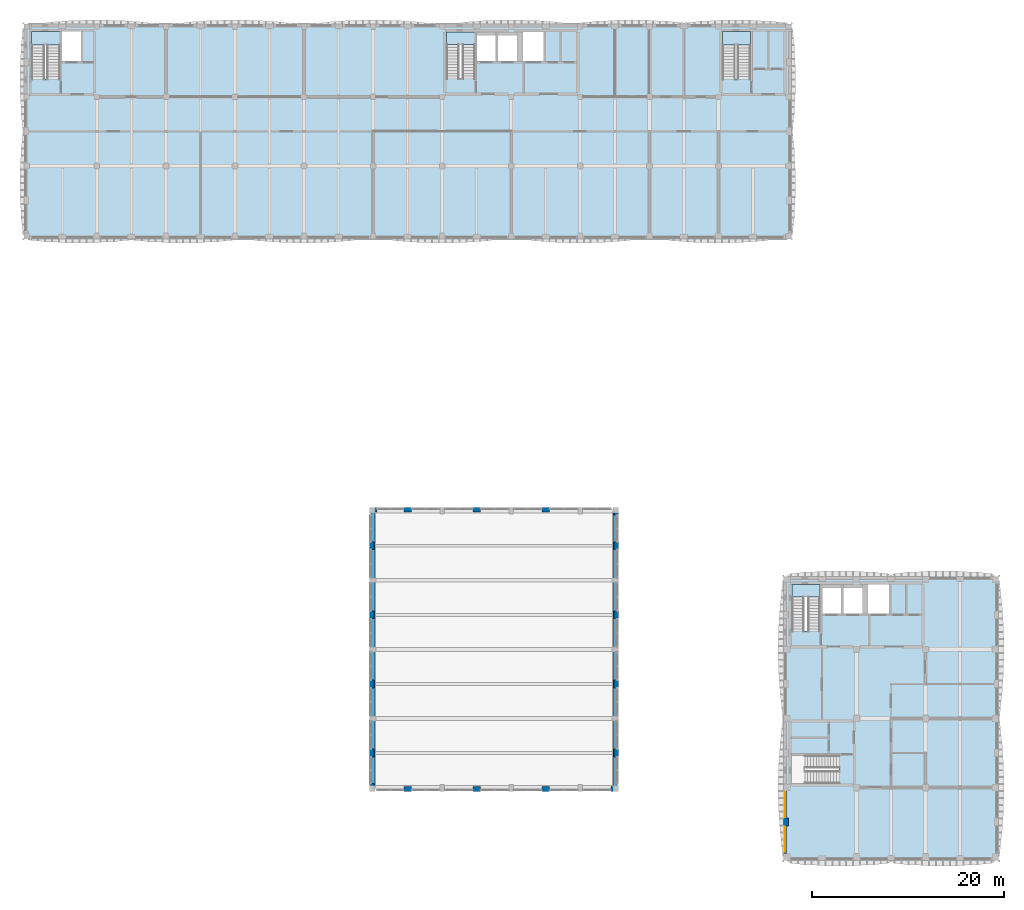
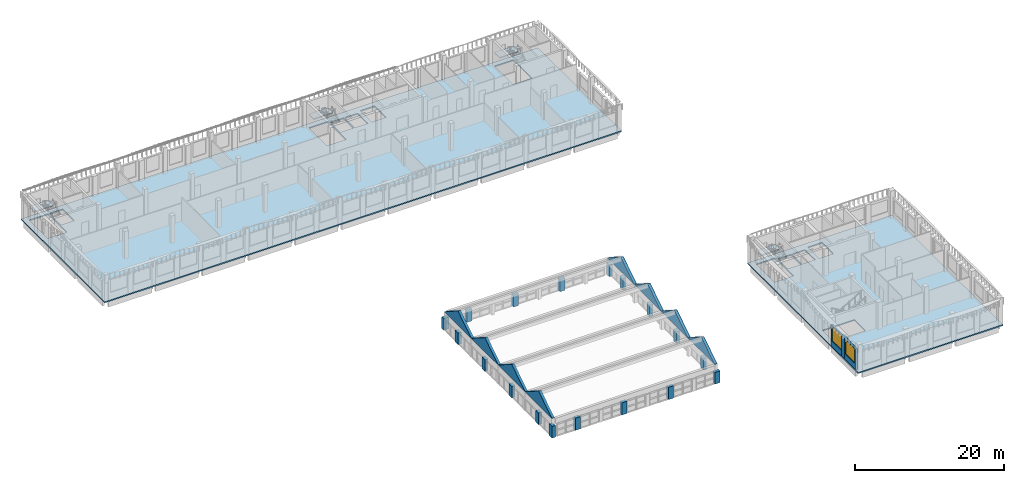
# One storey, part 9 of 38: 29 walls, 6 slabs, 2 windows, 2 openings, 4 elements without a shape of their own.
"""IFC4 building model written with IfcOpenShell, lengths in metres."""

from ifc_helpers import new_model, si_unit, direction, frame, frame_2d, origin, place, context, subcontext, project, spatial, polyline, rectangle, outline, extrude, material, layer, layer_set, type_object, element, fill, aggregate, save


model = new_model("IFC4")

# Units and contexts
model_context = context("Model", 3, precision=1e-05, world=origin(), true_north=direction((0.0, 1.0)))
body_context = subcontext(model_context, "Body", "Model", "MODEL_VIEW")
ifc_project = project(units=[si_unit("LENGTHUNIT", "METRE"), si_unit("AREAUNIT", "SQUARE_METRE"), si_unit("VOLUMEUNIT", "CUBIC_METRE"), si_unit("PLANEANGLEUNIT", "RADIAN"), si_unit("MASSUNIT", "GRAM", prefix="KILO")], contexts=[model_context])

# Site, building, storey
site_placement = place(None, origin())
site = spatial("IfcSite", under=ifc_project, at=site_placement, CompositionType="ELEMENT")
building_placement = place(site_placement, origin())
building = spatial("IfcBuilding", under=site, at=building_placement, Name="Ussher Court Research Institute", CompositionType="ELEMENT")
storey_placement = place(building_placement, frame((0.0, 0.0, 23.39990234375)))
storey = spatial("IfcBuildingStorey", under=building, at=storey_placement, Name="L05", CompositionType="ELEMENT", Elevation=23.39990234375)

# Slabs
ifc_material_1 = material(Name="Concrete C35/45", Category="concrete")
ifc_layer_1 = layer(ifc_material_1, 0.199951171875)
ifc_layer_set_1 = layer_set([ifc_layer_1], Name="Concrete C35/45")
slab_type_1 = type_object("IfcSlabType", Name="Floor slab 200", PredefinedType="FLOOR", material=ifc_layer_set_1)
slab_1_placement = place(storey_placement, frame((0.0, 0.0, -0.199951171875)))
element("IfcSlab", 1, at=slab_1_placement, inside=storey, type_object=slab_type_1, Name="FS200 V4 L05-01", PredefinedType="FLOOR", context=body_context, shape_type="SweptSolid", body=[
    extrude(outline(polyline([(81.800048828125, 33.199951171875), (81.800048828125, 3.60009765625), (104.199951171875, 3.60009765625), (104.199951171875, 33.199951171875), (81.800048828125, 33.199951171875)]), holes=[polyline([(87.550048828125, 14.550048828125), (87.550048828125, 11.60009765625), (82.60009765625, 11.60009765625), (82.60009765625, 14.550048828125), (87.550048828125, 14.550048828125)]), polyline([(82.64990234375, 27.5), (82.64990234375, 32.35009765625), (85.60009765625, 32.35009765625), (85.60009765625, 27.5), (82.64990234375, 27.5)]), polyline([(87.800048828125, 29.300048828125), (85.800048828125, 29.300048828125), (85.800048828125, 32.0), (87.800048828125, 32.0), (87.800048828125, 29.300048828125)]), polyline([(90.0, 32.0), (90.0, 29.300048828125), (88.0, 29.300048828125), (88.0, 32.0), (90.0, 32.0)]), polyline([(92.800048828125, 29.300048828125), (90.60009765625, 29.300048828125), (90.60009765625, 32.35009765625), (92.800048828125, 32.35009765625), (92.800048828125, 29.300048828125)])]), origin(), (0.0, 0.0, 1.0), 0.199951171875),
])
slab_2_placement = place(storey_placement, frame((0.0, 0.0, -0.199951171875)))
element("IfcSlab", 2, at=slab_2_placement, inside=storey, type_object=slab_type_1, Name="FS200 V5 L05-01", PredefinedType="FLOOR", context=body_context, shape_type="SweptSolid", body=[
    extrude(outline(polyline([(82.60009765625, 90.800048828125), (2.60009765625, 90.800048828125), (2.60009765625, 68.39990234375), (82.60009765625, 68.39990234375), (82.60009765625, 90.800048828125)]), holes=[polyline([(6.35009765625, 85.050048828125), (3.39990234375, 85.050048828125), (3.39990234375, 90.0), (6.35009765625, 90.0), (6.35009765625, 85.050048828125)]), polyline([(46.64990234375, 85.10009765625), (46.64990234375, 89.949951171875), (49.60009765625, 89.949951171875), (49.60009765625, 85.10009765625), (46.64990234375, 85.10009765625)]), polyline([(51.800048828125, 86.89990234375), (49.800048828125, 86.89990234375), (49.800048828125, 89.60009765625), (51.800048828125, 89.60009765625), (51.800048828125, 86.89990234375)]), polyline([(54.0, 89.60009765625), (54.0, 86.89990234375), (52.0, 86.89990234375), (52.0, 89.60009765625), (54.0, 89.60009765625)]), polyline([(56.800048828125, 86.89990234375), (54.60009765625, 86.89990234375), (54.60009765625, 89.949951171875), (56.800048828125, 89.949951171875), (56.800048828125, 86.89990234375)]), polyline([(8.550048828125, 86.89990234375), (6.550048828125, 86.89990234375), (6.550048828125, 90.0), (8.550048828125, 90.0), (8.550048828125, 86.89990234375)]), polyline([(75.39990234375, 85.050048828125), (75.39990234375, 90.0), (78.35009765625, 90.0), (78.35009765625, 85.050048828125), (75.39990234375, 85.050048828125)])]), origin(), (0.0, 0.0, 1.0), 0.199951171875),
])

# Stair, slab
ifc_material_2 = material(Name="Concrete C35/45", Category="concrete")
stair_type_1 = type_object("IfcStairType", Name="Core stair 26 risers 173 mm x 300 going 1280 wide", PredefinedType="HALF_TURN_STAIR", material=ifc_material_2)
stair_1_placement = place(storey_placement, origin())
stair_1 = element("IfcStair", 3, at=stair_1_placement, inside=storey, type_object=stair_type_1, Name="L05 Stair D2", PredefinedType="HALF_TURN_STAIR")
ifc_material_3 = material(Name="Concrete C35/45", Category="concrete")
ifc_layer_2 = layer(ifc_material_3, 0.199951171875)
ifc_layer_set_2 = layer_set([ifc_layer_2], Name="Concrete C35/45")
slab_type_2 = type_object("IfcSlabType", Name="Stair landing 200 RC", PredefinedType="LANDING", material=ifc_layer_set_2)
slab_3_placement = place(storey_placement, frame((0.0, 0.0, 2.050048828125)))
slab_3 = element("IfcSlab", 4, at=slab_3_placement, type_object=slab_type_2, Name="D2 landing 1", PredefinedType="LANDING", context=body_context, shape_type="SweptSolid", body=[
    extrude(outline(polyline([(49.60009765625, 88.64990234375), (49.60009765625, 89.949951171875), (46.64990234375, 89.949951171875), (46.64990234375, 88.64990234375), (49.60009765625, 88.64990234375)])), origin(), (0.0, 0.0, 1.0), 0.199951171875),
])
aggregate(stair_1, [slab_3])

stair_2_placement = place(storey_placement, origin())
stair_2 = element("IfcStair", 5, at=stair_2_placement, inside=storey, type_object=stair_type_1, Name="L05 Stair T1", PredefinedType="HALF_TURN_STAIR")
slab_4_placement = place(storey_placement, frame((0.0, 0.0, 2.050048828125)))
slab_4 = element("IfcSlab", 6, at=slab_4_placement, type_object=slab_type_2, Name="T1 landing 1", PredefinedType="LANDING", context=body_context, shape_type="SweptSolid", body=[
    extrude(outline(polyline([(85.60009765625, 31.050048828125), (85.60009765625, 32.35009765625), (82.64990234375, 32.35009765625), (82.64990234375, 31.050048828125), (85.60009765625, 31.050048828125)])), origin(), (0.0, 0.0, 1.0), 0.199951171875),
])
aggregate(stair_2, [slab_4])

ifc_material_4 = material(Name="Concrete C35/45", Category="concrete")
stair_type_2 = type_object("IfcStairType", Name="Core stair 26 risers 173 mm x 300 going 1350 wide", PredefinedType="HALF_TURN_STAIR", material=ifc_material_4)
stair_3_placement = place(storey_placement, origin())
stair_3 = element("IfcStair", 7, at=stair_3_placement, inside=storey, type_object=stair_type_2, Name="L05 Stair D1", PredefinedType="HALF_TURN_STAIR")
ifc_material_5 = material(Name="Concrete C35/45", Category="concrete")
ifc_layer_3 = layer(ifc_material_5, 0.239990234375)
ifc_layer_set_3 = layer_set([ifc_layer_3], Name="Concrete C35/45")
slab_type_3 = type_object("IfcSlabType", Name="Stair landing 240 RC", PredefinedType="LANDING", material=ifc_layer_set_3)
slab_5_placement = place(storey_placement, frame((0.0, 0.0, 2.050048828125)))
slab_5 = element("IfcSlab", 8, at=slab_5_placement, type_object=slab_type_3, Name="D1 landing 1", PredefinedType="LANDING", context=body_context, shape_type="SweptSolid", body=[
    extrude(outline(polyline([(6.35009765625, 88.60009765625), (6.35009765625, 90.0), (3.39990234375, 90.0), (3.39990234375, 88.60009765625), (6.35009765625, 88.60009765625)])), origin(), (0.0, 0.0, 1.0), 0.199951171875),
])
aggregate(stair_3, [slab_5])

stair_4_placement = place(storey_placement, origin())
stair_4 = element("IfcStair", 9, at=stair_4_placement, inside=storey, type_object=stair_type_2, Name="L05 Stair D3", PredefinedType="HALF_TURN_STAIR")
slab_6_placement = place(storey_placement, frame((0.0, 0.0, 2.050048828125)))
slab_6 = element("IfcSlab", 10, at=slab_6_placement, type_object=slab_type_3, Name="D3 landing 1", PredefinedType="LANDING", context=body_context, shape_type="SweptSolid", body=[
    extrude(outline(polyline([(78.35009765625, 88.60009765625), (78.35009765625, 90.0), (75.39990234375, 90.0), (75.39990234375, 88.60009765625), (78.35009765625, 88.60009765625)])), origin(), (0.0, 0.0, 1.0), 0.199951171875),
])
aggregate(stair_4, [slab_6])

# Walls
ifc_material_6 = material(Name="Concrete C35/45", Category="concrete")
ifc_layer_4 = layer(ifc_material_6, 0.39990234375)
ifc_layer_set_4 = layer_set([ifc_layer_4], Name="Concrete C35/45")
wall_type_1 = type_object("IfcWallType", Name="End diaphragm wall 400", PredefinedType="SOLIDWALL", material=ifc_layer_set_4)
wall_1_placement = place(storey_placement, frame((39.0, 11.199951171875, 2.9052734375), z_axis=(0.0, 0.0, 1.0), x_axis=(0.0, 1.0, 0.0)))
element("IfcWall", 11, at=wall_1_placement, inside=storey, type_object=wall_type_1, Name="DW400 V2 L05-01", PredefinedType="SOLIDWALL", context=body_context, shape_type="SweptSolid", body=[
    extrude(outline(polyline([(0.0, 0.0), (7.199951171875, 0.0), (7.199951171875, 0.02001953125), (3.60009765625, 2.314453125), (0.0, 0.02001953125), (0.0, 0.0)])), frame((0.0, 0.199951171875, 0.0), z_axis=(0.0, -1.0, 0.0), x_axis=(1.0, 0.0, 0.0)), (0.0, 0.0, 1.0), 0.39990234375),
])
wall_2_placement = place(storey_placement, frame((39.0, 18.39990234375, 2.9052734375), z_axis=(0.0, 0.0, 1.0), x_axis=(0.0, 1.0, 0.0)))
element("IfcWall", 12, at=wall_2_placement, inside=storey, type_object=wall_type_1, Name="DW400 V2 L05-02", PredefinedType="SOLIDWALL", context=body_context, shape_type="SweptSolid", body=[
    extrude(outline(polyline([(0.0, 0.0), (7.2001953125, 0.0), (7.199951171875, 0.02001953125), (3.60009765625, 2.314453125), (0.0, 0.02001953125), (0.0, 0.0)])), frame((0.0, 0.199951171875, 0.0), z_axis=(0.0, -1.0, 0.0), x_axis=(1.0, 0.0, 0.0)), (0.0, 0.0, 1.0), 0.39990234375),
])
for number, where, z_axis, x_axis, name in (
    (13, (39.0, 25.60009765625, 2.9052734375), (0.0, 0.0, 1.0), (0.0, 1.0, 0.0), "DW400 V2 L05-03"),
    (14, (39.0, 32.800048828125, 2.9052734375), (0.0, 0.0, 1.0), (0.0, 1.0, 0.0), "DW400 V2 L05-04"),
    (15, (64.199951171875, 11.199951171875, 2.9052734375), (0.0, 0.0, 1.0), (0.0, 1.0, 0.0), "DW400 V2 L05-05"),
):
    element("IfcWall", number, at=place(storey_placement, frame(where, z_axis=z_axis, x_axis=x_axis)), inside=storey, type_object=wall_type_1, Name=name, PredefinedType="SOLIDWALL", context=body_context, shape_type="SweptSolid", body=[
        extrude(outline(polyline([(0.0, 0.0), (7.199951171875, 0.0), (7.199951171875, 0.02001953125), (3.60009765625, 2.314453125), (0.0, 0.02001953125), (0.0, 0.0)])), frame((0.0, 0.199951171875, 0.0), z_axis=(0.0, -1.0, 0.0), x_axis=(1.0, 0.0, 0.0)), (0.0, 0.0, 1.0), 0.39990234375),
    ])
wall_3_placement = place(storey_placement, frame((64.199951171875, 18.39990234375, 2.9052734375), z_axis=(0.0, 0.0, 1.0), x_axis=(0.0, 1.0, 0.0)))
element("IfcWall", 16, at=wall_3_placement, inside=storey, type_object=wall_type_1, Name="DW400 V2 L05-06", PredefinedType="SOLIDWALL", context=body_context, shape_type="SweptSolid", body=[
    extrude(outline(polyline([(0.0, 0.0), (7.2001953125, 0.0), (7.199951171875, 0.02001953125), (3.60009765625, 2.314453125), (0.0, 0.02001953125), (0.0, 0.0)])), frame((0.0, 0.199951171875, 0.0), z_axis=(0.0, -1.0, 0.0), x_axis=(1.0, 0.0, 0.0)), (0.0, 0.0, 1.0), 0.39990234375),
])
for number, where, z_axis, x_axis, name in (
    (17, (64.199951171875, 25.60009765625, 2.9052734375), (0.0, 0.0, 1.0), (0.0, 1.0, 0.0), "DW400 V2 L05-07"),
    (18, (64.199951171875, 32.800048828125, 2.9052734375), (0.0, 0.0, 1.0), (0.0, 1.0, 0.0), "DW400 V2 L05-08"),
):
    element("IfcWall", number, at=place(storey_placement, frame(where, z_axis=z_axis, x_axis=x_axis)), inside=storey, type_object=wall_type_1, Name=name, PredefinedType="SOLIDWALL", context=body_context, shape_type="SweptSolid", body=[
        extrude(outline(polyline([(0.0, 0.0), (7.199951171875, 0.0), (7.199951171875, 0.02001953125), (3.60009765625, 2.314453125), (0.0, 0.02001953125), (0.0, 0.0)])), frame((0.0, 0.199951171875, 0.0), z_axis=(0.0, -1.0, 0.0), x_axis=(1.0, 0.0, 0.0)), (0.0, 0.0, 1.0), 0.39990234375),
    ])

# Wall, opening, window
ifc_material_7 = material(Name="Blockwork with cream render", Category="masonry")
ifc_layer_5 = layer(ifc_material_7, 0.300048828125)
ifc_layer_set_5 = layer_set([ifc_layer_5], Name="Blockwork with cream render")
wall_type_2 = type_object("IfcWallType", Name="External wall 300 cream render", PredefinedType="SOLIDWALL", material=ifc_layer_set_5)
wall_4_placement = place(storey_placement, frame((81.949951171875, 4.300048828125, 0.0), z_axis=(0.0, 0.0, 1.0), x_axis=(0.0, 1.0, 0.0)))
wall_4 = element("IfcWall", 19, at=wall_4_placement, inside=storey, type_object=wall_type_2, Name="External wall EW1 L05", PredefinedType="SOLIDWALL", context=body_context, shape_type="SweptSolid", body=[
    extrude(rectangle(XDim=2.89990234375, YDim=0.300048828125, at=frame_2d((1.449951171875, 0.0))), origin(), (0.0, 0.0, 1.0), 3.400146484375),
])
opening_1_placement = place(wall_4_placement, frame((0.199951171875, 0.0, 0.89990234375)))
opening_1 = element("IfcOpeningElement", 20, at=opening_1_placement, cuts=wall_4, Name="Opening W01", PredefinedType="OPENING", context=body_context, shape_type="SweptSolid", body=[
    extrude(rectangle(XDim=2.60009765625, YDim=2.39990234375, at=frame_2d((1.300048828125, 1.199951171875))), frame((0.0, 0.16015625, 0.0), z_axis=(0.0, -1.0, 0.0), x_axis=(1.0, 0.0, 0.0)), (0.0, 0.0, 1.0), 0.320068359375),
])
ifc_material_8 = material(Name="Bronze anodised aluminium with double glazing", Category="aluminium")
window_type = type_object("IfcWindowType", Name="Laboratory bay window 2600x2400", PartitioningType="DOUBLE_PANEL_VERTICAL", PredefinedType="WINDOW", material=ifc_material_8)
window_1_placement = place(opening_1_placement, origin())
window_1 = element("IfcWindow", 21, at=window_1_placement, inside=storey, type_object=window_type, Name="Window W01 L05", OverallHeight=2.39990234375, OverallWidth=2.60009765625, PartitioningType="SINGLE_PANEL", PredefinedType="WINDOW", context=body_context, shape_type="SweptSolid", body=[
    extrude(rectangle(XDim=2.60009765625, YDim=2.39990234375, at=frame_2d((1.300048828125, 1.199951171875))), frame((0.0, 0.030029296875, 0.0), z_axis=(0.0, -1.0, 0.0), x_axis=(1.0, 0.0, 0.0)), (0.0, 0.0, 1.0), 0.06005859375),
])
fill(opening_1, window_1)

wall_5_placement = place(storey_placement, frame((81.949951171875, 8.0, 0.0), z_axis=(0.0, 0.0, 1.0), x_axis=(0.0, 1.0, 0.0)))
wall_5 = element("IfcWall", 22, at=wall_5_placement, inside=storey, type_object=wall_type_2, Name="External wall EW1 L05", PredefinedType="SOLIDWALL", context=body_context, shape_type="SweptSolid", body=[
    extrude(rectangle(XDim=2.85009765625, YDim=0.300048828125, at=frame_2d((1.425048828125, 0.0))), origin(), (0.0, 0.0, 1.0), 3.400146484375),
])
opening_2_placement = place(wall_5_placement, frame((0.10009765625, 0.0, 0.89990234375)))
opening_2 = element("IfcOpeningElement", 23, at=opening_2_placement, cuts=wall_5, Name="Opening W01", PredefinedType="OPENING", context=body_context, shape_type="SweptSolid", body=[
    extrude(rectangle(XDim=2.60009765625, YDim=2.39990234375, at=frame_2d((1.300048828125, 1.199951171875))), frame((0.0, 0.16015625, 0.0), z_axis=(0.0, -1.0, 0.0), x_axis=(1.0, 0.0, 0.0)), (0.0, 0.0, 1.0), 0.320068359375),
])
window_2_placement = place(opening_2_placement, origin())
window_2 = element("IfcWindow", 24, at=window_2_placement, inside=storey, type_object=window_type, Name="Window W01 L05", OverallHeight=2.39990234375, OverallWidth=2.60009765625, PartitioningType="SINGLE_PANEL", PredefinedType="WINDOW", context=body_context, shape_type="SweptSolid", body=[
    extrude(rectangle(XDim=2.60009765625, YDim=2.39990234375, at=frame_2d((1.300048828125, 1.199951171875))), frame((0.0, 0.030029296875, 0.0), z_axis=(0.0, -1.0, 0.0), x_axis=(1.0, 0.0, 0.0)), (0.0, 0.0, 1.0), 0.06005859375),
])
fill(opening_2, window_2)

# Walls
ifc_material_9 = material(Name="Blockwork with cream render", Category="masonry")
ifc_layer_6 = layer(ifc_material_9, 0.5)
ifc_layer_set_6 = layer_set([ifc_layer_6], Name="Blockwork with cream render")
wall_type_3 = type_object("IfcWallType", Name="Pier 800x500 cream render", PredefinedType="SOLIDWALL", material=ifc_layer_set_6)
wall_6_placement = place(storey_placement, frame((82.050048828125, 7.199951171875, 0.0), z_axis=(0.0, 0.0, 1.0), x_axis=(0.0, 1.0, 0.0)))
element("IfcWall", 25, at=wall_6_placement, inside=storey, type_object=wall_type_3, Name="Pier PR1 L05", PredefinedType="SOLIDWALL", context=body_context, shape_type="SweptSolid", body=[
    extrude(rectangle(XDim=0.800048828125, YDim=0.5, at=frame_2d((0.39990234375, 0.0))), origin(), (0.0, 0.0, 1.0), 3.400146484375),
])
ifc_material_10 = material(Name="Rusticated limestone facing on blockwork", Category="masonry")
ifc_layer_7 = layer(ifc_material_10, 0.5)
ifc_layer_set_7 = layer_set([ifc_layer_7], Name="Rusticated limestone facing on blockwork")
wall_type_4 = type_object("IfcWallType", Name="Pier 800x500 rusticated limestone", PredefinedType="SOLIDWALL", material=ifc_layer_set_7)
wall_7_placement = place(storey_placement, frame((64.35009765625, 40.39990234375, 0.0), z_axis=(0.0, 0.0, 1.0), x_axis=(0.0, -1.0, 0.0)))
element("IfcWall", 26, at=wall_7_placement, inside=storey, type_object=wall_type_4, Name="Pier PR2 L05", PredefinedType="SOLIDWALL", context=body_context, shape_type="SweptSolid", body=[
    extrude(rectangle(XDim=0.7998046875, YDim=0.5, at=frame_2d((0.39990234375, 0.0))), origin(), (0.0, 0.0, 1.0), 1.9052734375),
])
for number, where, z_axis, x_axis, name in (
    (27, (64.35009765625, 36.800048828125, 0.0), (0.0, 0.0, 1.0), (0.0, -1.0, 0.0), "Pier PR2 L05"),
    (28, (64.35009765625, 29.60009765625, 0.0), (0.0, 0.0, 1.0), (0.0, -1.0, 0.0), "Pier PR2 L05"),
):
    element("IfcWall", number, at=place(storey_placement, frame(where, z_axis=z_axis, x_axis=x_axis)), inside=storey, type_object=wall_type_4, Name=name, PredefinedType="SOLIDWALL", context=body_context, shape_type="SweptSolid", body=[
        extrude(rectangle(XDim=0.800048828125, YDim=0.5, at=frame_2d((0.39990234375, 0.0))), origin(), (0.0, 0.0, 1.0), 1.9052734375),
    ])
wall_8_placement = place(storey_placement, frame((64.35009765625, 22.39990234375, 0.0), z_axis=(0.0, 0.0, 1.0), x_axis=(0.0, -1.0, 0.0)))
element("IfcWall", 29, at=wall_8_placement, inside=storey, type_object=wall_type_4, Name="Pier PR2 L05", PredefinedType="SOLIDWALL", context=body_context, shape_type="SweptSolid", body=[
    extrude(rectangle(XDim=0.7998046875, YDim=0.5, at=frame_2d((0.39990234375, 0.0))), origin(), (0.0, 0.0, 1.0), 1.9052734375),
])
for number, where, z_axis, x_axis, name in (
    (30, (64.35009765625, 15.199951171875, 0.0), (0.0, 0.0, 1.0), (0.0, -1.0, 0.0), "Pier PR2 L05"),
    (31, (64.60009765625, 11.050048828125, 0.0), (0.0, 0.0, 1.0), (-1.0, 0.0, 0.0), "Pier PR2 L05"),
):
    element("IfcWall", number, at=place(storey_placement, frame(where, z_axis=z_axis, x_axis=x_axis)), inside=storey, type_object=wall_type_4, Name=name, PredefinedType="SOLIDWALL", context=body_context, shape_type="SweptSolid", body=[
        extrude(rectangle(XDim=0.800048828125, YDim=0.5, at=frame_2d((0.39990234375, 0.0))), origin(), (0.0, 0.0, 1.0), 1.9052734375),
    ])
wall_9_placement = place(storey_placement, frame((57.39990234375, 11.050048828125, 0.0), z_axis=(0.0, 0.0, 1.0), x_axis=(-1.0, 0.0, 0.0)))
element("IfcWall", 32, at=wall_9_placement, inside=storey, type_object=wall_type_4, Name="Pier PR2 L05", PredefinedType="SOLIDWALL", context=body_context, shape_type="SweptSolid", body=[
    extrude(rectangle(XDim=0.7998046875, YDim=0.5, at=frame_2d((0.39990234375, 0.0))), origin(), (0.0, 0.0, 1.0), 2.0),
])
for number, where, z_axis, x_axis, name in (
    (33, (50.199951171875, 11.050048828125, 0.0), (0.0, 0.0, 1.0), (-1.0, 0.0, 0.0), "Pier PR2 L05"),
    (34, (43.0, 11.050048828125, 0.0), (0.0, 0.0, 1.0), (-1.0, 0.0, 0.0), "Pier PR2 L05"),
):
    element("IfcWall", number, at=place(storey_placement, frame(where, z_axis=z_axis, x_axis=x_axis)), inside=storey, type_object=wall_type_4, Name=name, PredefinedType="SOLIDWALL", context=body_context, shape_type="SweptSolid", body=[
        extrude(rectangle(XDim=0.800048828125, YDim=0.5, at=frame_2d((0.39990234375, 0.0))), origin(), (0.0, 0.0, 1.0), 2.0),
    ])
for number, where, z_axis, x_axis, name in (
    (35, (38.85009765625, 10.800048828125, 0.0), (0.0, 0.0, 1.0), (0.0, 1.0, 0.0), "Pier PR2 L05"),
    (36, (38.85009765625, 14.39990234375, 0.0), (0.0, 0.0, 1.0), (0.0, 1.0, 0.0), "Pier PR2 L05"),
):
    element("IfcWall", number, at=place(storey_placement, frame(where, z_axis=z_axis, x_axis=x_axis)), inside=storey, type_object=wall_type_4, Name=name, PredefinedType="SOLIDWALL", context=body_context, shape_type="SweptSolid", body=[
        extrude(rectangle(XDim=0.800048828125, YDim=0.5, at=frame_2d((0.39990234375, 0.0))), origin(), (0.0, 0.0, 1.0), 1.9052734375),
    ])
wall_10_placement = place(storey_placement, frame((38.85009765625, 21.60009765625, 0.0), z_axis=(0.0, 0.0, 1.0), x_axis=(0.0, 1.0, 0.0)))
element("IfcWall", 37, at=wall_10_placement, inside=storey, type_object=wall_type_4, Name="Pier PR2 L05", PredefinedType="SOLIDWALL", context=body_context, shape_type="SweptSolid", body=[
    extrude(rectangle(XDim=0.7998046875, YDim=0.5, at=frame_2d((0.39990234375, 0.0))), origin(), (0.0, 0.0, 1.0), 1.9052734375),
])
for number, where, z_axis, x_axis, name in (
    (38, (38.85009765625, 28.800048828125, 0.0), (0.0, 0.0, 1.0), (0.0, 1.0, 0.0), "Pier PR2 L05"),
    (39, (38.85009765625, 36.0, 0.0), (0.0, 0.0, 1.0), (0.0, 1.0, 0.0), "Pier PR2 L05"),
):
    element("IfcWall", number, at=place(storey_placement, frame(where, z_axis=z_axis, x_axis=x_axis)), inside=storey, type_object=wall_type_4, Name=name, PredefinedType="SOLIDWALL", context=body_context, shape_type="SweptSolid", body=[
        extrude(rectangle(XDim=0.800048828125, YDim=0.5, at=frame_2d((0.39990234375, 0.0))), origin(), (0.0, 0.0, 1.0), 1.9052734375),
    ])
wall_11_placement = place(storey_placement, frame((38.60009765625, 40.14990234375, 0.0), z_axis=(0.0, 0.0, 1.0), x_axis=(1.0, 0.0, 0.0)))
element("IfcWall", 40, at=wall_11_placement, inside=storey, type_object=wall_type_4, Name="Pier PR2 L05", PredefinedType="SOLIDWALL", context=body_context, shape_type="SweptSolid", body=[
    extrude(rectangle(XDim=0.7998046875, YDim=0.5, at=frame_2d((0.39990234375, 0.0))), origin(), (0.0, 0.0, 1.0), 1.9052734375),
])
for number, where, z_axis, x_axis, name in (
    (41, (42.199951171875, 40.14990234375, 0.0), (0.0, 0.0, 1.0), (1.0, 0.0, 0.0), "Pier PR2 L05"),
    (42, (49.39990234375, 40.14990234375, 0.0), (0.0, 0.0, 1.0), (1.0, 0.0, 0.0), "Pier PR2 L05"),
):
    element("IfcWall", number, at=place(storey_placement, frame(where, z_axis=z_axis, x_axis=x_axis)), inside=storey, type_object=wall_type_4, Name=name, PredefinedType="SOLIDWALL", context=body_context, shape_type="SweptSolid", body=[
        extrude(rectangle(XDim=0.800048828125, YDim=0.5, at=frame_2d((0.39990234375, 0.0))), origin(), (0.0, 0.0, 1.0), 2.0),
    ])
wall_12_placement = place(storey_placement, frame((56.60009765625, 40.14990234375, 0.0), z_axis=(0.0, 0.0, 1.0), x_axis=(1.0, 0.0, 0.0)))
element("IfcWall", 43, at=wall_12_placement, inside=storey, type_object=wall_type_4, Name="Pier PR2 L05", PredefinedType="SOLIDWALL", context=body_context, shape_type="SweptSolid", body=[
    extrude(rectangle(XDim=0.7998046875, YDim=0.5, at=frame_2d((0.39990234375, 0.0))), origin(), (0.0, 0.0, 1.0), 2.0),
])

save(model, "model.ifc")
